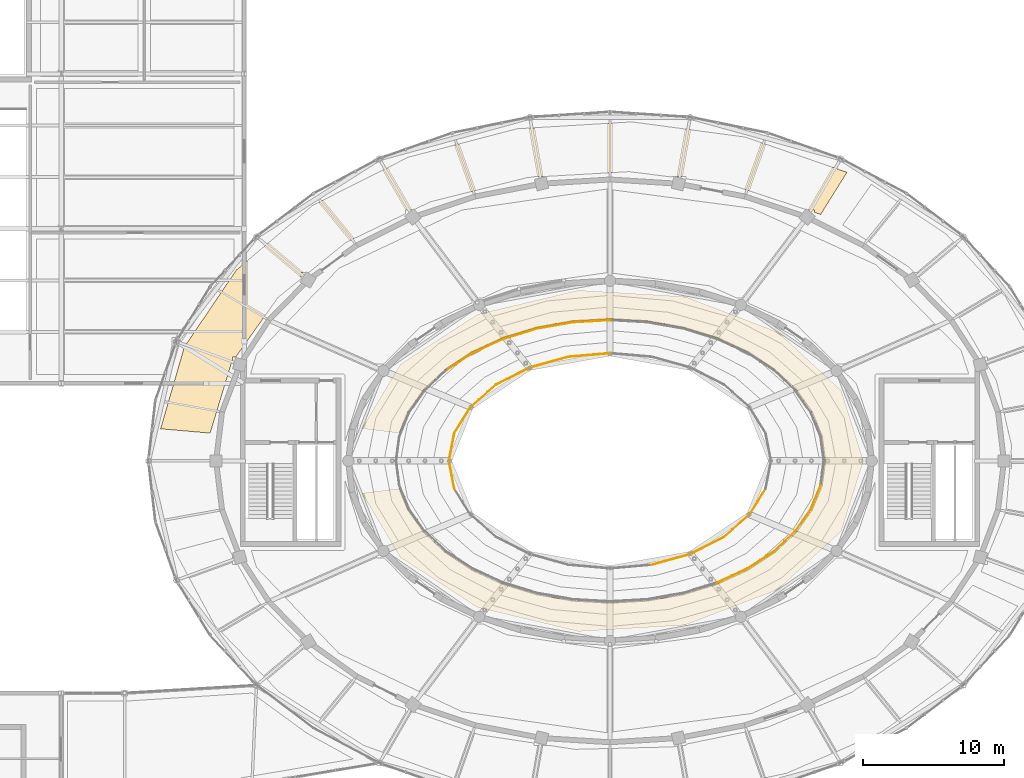
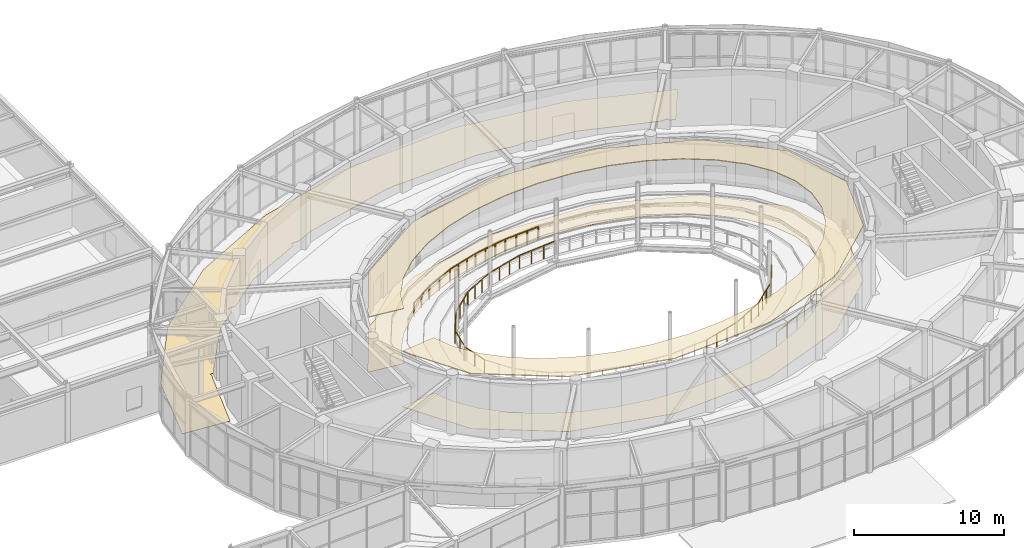
# One storey, part 92 of 100: 21 railings, 3 coverings.
"""IFC4 building model written with IfcOpenShell, lengths in metres."""

from ifc_helpers import new_model, si_unit, direction, frame, origin, origin_2d, place, context, subcontext, project, spatial, polyline, circle, outline, extrude, material, layer, layer_set, type_object, element, save


model = new_model("IFC4")

# Units and contexts
model_context = context("Model", 3, precision=1e-05, world=origin(), true_north=direction((0.0, 1.0)))
body_context = subcontext(model_context, "Body", "Model", "MODEL_VIEW")
ifc_project = project(units=[si_unit("LENGTHUNIT", "METRE"), si_unit("AREAUNIT", "SQUARE_METRE"), si_unit("VOLUMEUNIT", "CUBIC_METRE"), si_unit("PLANEANGLEUNIT", "RADIAN"), si_unit("MASSUNIT", "GRAM", prefix="KILO")], contexts=[model_context])

# Site, building, storey
site_placement = place(None, origin())
site = spatial("IfcSite", under=ifc_project, at=site_placement, CompositionType="ELEMENT")
building_placement = place(site_placement, origin())
building = spatial("IfcBuilding", under=site, at=building_placement, Name="Tarnveldt Headland Concert Hall", CompositionType="ELEMENT")
storey_placement = place(building_placement, frame((0.0, 0.0, 4.800048828125)))
storey = spatial("IfcBuildingStorey", under=building, at=storey_placement, Name="L01", CompositionType="ELEMENT", Elevation=4.800048828125)

# Coverings
ifc_material_1 = material(Name="Micro-perforated mvule acoustic ceiling panel", Category="timber")
ifc_layer_1 = layer(ifc_material_1, 0.06494140625, Name="Micro-perforated mvule acoustic ceiling panel", Category="timber")
ifc_layer_set_1 = layer_set([ifc_layer_1], Name="Micro-perforated mvule acoustic ceiling panel")
covering_type_1 = type_object("IfcCoveringType", Name="CV-CEIL65", PredefinedType="CEILING", material=ifc_layer_set_1)
covering_1_placement = place(storey_placement, frame((0.0, 0.0, 4.474853515625)))
element("IfcCovering", 1, at=covering_1_placement, inside=storey, type_object=covering_type_1, Name="Acoustic mvule ceiling L01-08-113", PredefinedType="CEILING", context=body_context, shape_type="SweptSolid", body=[
    extrude(outline(polyline([(65.9775390625, 56.784912109375), (66.1884765625, 57.32666015625), (68.595703125, 61.35693359375), (74.081787109375, 64.912841796875), (81.252685546875, 66.62255859375), (88.57666015625, 66.185791015625), (88.983642578125, 66.11083984375), (95.152587890625, 63.753662109375), (95.828125, 63.288818359375), (99.93212890625, 59.500244140625), (101.51123046875, 54.5), (99.93212890625, 49.499755859375), (95.828125, 45.711181640625), (95.152587890625, 45.246337890625), (88.983642578125, 42.88916015625), (88.57666015625, 42.814208984375), (81.252685546875, 42.37744140625), (74.081787109375, 44.087158203125), (68.595703125, 47.64306640625), (66.1884765625, 51.67333984375), (65.9775390625, 52.215087890625), (68.497802734375, 52.526611328125), (69.105712890625, 51.034423828125), (69.111572265625, 51.022216796875), (69.118896484375, 51.010498046875), (70.238525390625, 49.4306640625), (70.245849609375, 49.421142578125), (70.254150390625, 49.41259765625), (71.77392578125, 47.984619140625), (71.78173828125, 47.977783203125), (71.7900390625, 47.9716796875), (73.66357421875, 46.7392578125), (73.67138671875, 46.734619140625), (73.679443359375, 46.730712890625), (75.849853515625, 45.730712890625), (75.86474609375, 45.72509765625), (78.26611328125, 44.98828125), (78.280517578125, 44.98486328125), (80.839599609375, 44.53369140625), (80.853515625, 44.531982421875), (83.4931640625, 44.380126953125), (83.5068359375, 44.380126953125), (86.146484375, 44.531982421875), (86.160400390625, 44.53369140625), (88.719482421875, 44.98486328125), (88.73388671875, 44.98828125), (91.13525390625, 45.72509765625), (91.150146484375, 45.730712890625), (93.320556640625, 46.730712890625), (93.32861328125, 46.734619140625), (93.33642578125, 46.7392578125), (95.2099609375, 47.9716796875), (95.21826171875, 47.977783203125), (95.22607421875, 47.984619140625), (96.745849609375, 49.41259765625), (96.754150390625, 49.421142578125), (96.761474609375, 49.4306640625), (97.881103515625, 51.010498046875), (97.888427734375, 51.022216796875), (97.894287109375, 51.034423828125), (98.580078125, 52.71826171875), (98.583740234375, 52.727783203125), (98.586181640625, 52.73779296875), (98.588134765625, 52.747802734375), (98.819091796875, 54.484130859375), (98.81982421875, 54.49462890625), (98.81982421875, 54.50537109375), (98.819091796875, 54.515869140625), (98.588134765625, 56.252197265625), (98.586181640625, 56.26220703125), (98.583740234375, 56.272216796875), (98.580078125, 56.28173828125), (97.894287109375, 57.965576171875), (97.888427734375, 57.977783203125), (97.881103515625, 57.989501953125), (96.761474609375, 59.5693359375), (96.754150390625, 59.578857421875), (96.745849609375, 59.58740234375), (95.22607421875, 61.015380859375), (95.21826171875, 61.022216796875), (95.2099609375, 61.0283203125), (93.33642578125, 62.2607421875), (93.32861328125, 62.265380859375), (93.320556640625, 62.269287109375), (91.150146484375, 63.269287109375), (91.13525390625, 63.27490234375), (88.73388671875, 64.01171875), (88.719482421875, 64.01513671875), (86.160400390625, 64.46630859375), (86.146484375, 64.468017578125), (83.5068359375, 64.619873046875), (83.4931640625, 64.619873046875), (80.853515625, 64.468017578125), (80.839599609375, 64.46630859375), (78.280517578125, 64.01513671875), (78.26611328125, 64.01171875), (75.86474609375, 63.27490234375), (75.849853515625, 63.269287109375), (73.679443359375, 62.269287109375), (73.67138671875, 62.265380859375), (73.66357421875, 62.2607421875), (71.7900390625, 61.0283203125), (71.78173828125, 61.022216796875), (71.77392578125, 61.015380859375), (70.254150390625, 59.58740234375), (70.245849609375, 59.578857421875), (70.238525390625, 59.5693359375), (69.118896484375, 57.989501953125), (69.111572265625, 57.977783203125), (69.105712890625, 57.965576171875), (68.497802734375, 56.473388671875), (65.9775390625, 56.784912109375)])), origin(), (0.0, 0.0, 1.0), 0.065185546875),
])
ifc_material_2 = material(Name="Treated East African mvule hardwood", Category="wood")
ifc_layer_2 = layer(ifc_material_2, 0.028076171875, Name="Treated East African mvule hardwood", Category="wood")
ifc_layer_set_2 = layer_set([ifc_layer_2], Name="Treated East African mvule hardwood")
covering_type_2 = type_object("IfcCoveringType", Name="CV-FLOR28", PredefinedType="FLOORING", material=ifc_layer_set_2)
covering_2_placement = place(storey_placement, origin())
element("IfcCovering", 2, at=covering_2_placement, inside=storey, type_object=covering_type_2, Name="Architectural flooring L01-08-35", PredefinedType="FLOORING", context=body_context, shape_type="SweptSolid", body=[
    extrude(outline(polyline([(65.87255859375, 56.7978515625), (68.595703125, 61.35693359375), (74.081787109375, 64.912841796875), (81.252685546875, 66.62255859375), (88.826171875, 66.171142578125), (95.446044921875, 63.6416015625), (99.93212890625, 59.500244140625), (101.51123046875, 54.5), (99.93212890625, 49.499755859375), (95.446044921875, 45.3583984375), (88.826171875, 42.828857421875), (81.252685546875, 42.37744140625), (74.081787109375, 44.087158203125), (68.595703125, 47.64306640625), (65.87255859375, 52.2021484375), (68.538818359375, 52.53173828125), (69.142578125, 51.049560546875), (69.146484375, 51.041259765625), (69.1513671875, 51.033447265625), (70.27099609375, 49.45361328125), (70.276123046875, 49.447509765625), (70.281494140625, 49.441650390625), (71.80126953125, 48.013916015625), (71.806396484375, 48.00927734375), (71.81201171875, 48.00537109375), (73.685546875, 46.772705078125), (73.69091796875, 46.769775390625), (73.696044921875, 46.766845703125), (75.866455078125, 45.76708984375), (75.87646484375, 45.76318359375), (78.27783203125, 45.026611328125), (78.287353515625, 45.0244140625), (80.8466796875, 44.572998046875), (80.85595703125, 44.572021484375), (83.495361328125, 44.420166015625), (83.504638671875, 44.420166015625), (86.14404296875, 44.572021484375), (86.1533203125, 44.572998046875), (88.712646484375, 45.0244140625), (88.72216796875, 45.026611328125), (91.12353515625, 45.76318359375), (91.133544921875, 45.76708984375), (93.303955078125, 46.766845703125), (93.30908203125, 46.769775390625), (93.314453125, 46.772705078125), (95.18798828125, 48.00537109375), (95.193603515625, 48.00927734375), (95.19873046875, 48.013916015625), (96.718505859375, 49.441650390625), (96.723876953125, 49.447509765625), (96.72900390625, 49.45361328125), (97.8486328125, 51.033447265625), (97.853515625, 51.041259765625), (97.857421875, 51.049560546875), (98.543212890625, 52.7333984375), (98.54541015625, 52.73974609375), (98.547119140625, 52.746337890625), (98.54833984375, 52.7529296875), (98.779296875, 54.489501953125), (98.77978515625, 54.49658203125), (98.77978515625, 54.50341796875), (98.779296875, 54.510498046875), (98.54833984375, 56.2470703125), (98.547119140625, 56.253662109375), (98.54541015625, 56.26025390625), (98.543212890625, 56.2666015625), (97.857421875, 57.950439453125), (97.853515625, 57.958740234375), (97.8486328125, 57.966552734375), (96.72900390625, 59.54638671875), (96.723876953125, 59.552490234375), (96.718505859375, 59.558349609375), (95.19873046875, 60.986083984375), (95.193603515625, 60.99072265625), (95.18798828125, 60.99462890625), (93.314453125, 62.227294921875), (93.30908203125, 62.230224609375), (93.303955078125, 62.233154296875), (91.133544921875, 63.23291015625), (91.12353515625, 63.23681640625), (88.72216796875, 63.973388671875), (88.712646484375, 63.9755859375), (86.1533203125, 64.427001953125), (86.14404296875, 64.427978515625), (83.504638671875, 64.579833984375), (83.495361328125, 64.579833984375), (80.85595703125, 64.427978515625), (80.8466796875, 64.427001953125), (78.287353515625, 63.9755859375), (78.27783203125, 63.973388671875), (75.87646484375, 63.23681640625), (75.866455078125, 63.23291015625), (73.696044921875, 62.233154296875), (73.69091796875, 62.230224609375), (73.685546875, 62.227294921875), (71.81201171875, 60.99462890625), (71.806396484375, 60.99072265625), (71.80126953125, 60.986083984375), (70.281494140625, 59.558349609375), (70.276123046875, 59.552490234375), (70.27099609375, 59.54638671875), (69.1513671875, 57.966552734375), (69.146484375, 57.958740234375), (69.142578125, 57.950439453125), (68.538818359375, 56.46826171875), (65.87255859375, 56.7978515625)])), origin(), (0.0, 0.0, 1.0), 0.02783203125),
])
ifc_material_3 = material(Name="Polished coral-aggregate cementitious terrazzo flooring", Category="concrete")
ifc_layer_3 = layer(ifc_material_3, 0.034912109375, Name="Polished coral-aggregate cementitious terrazzo flooring", Category="concrete")
ifc_layer_set_3 = layer_set([ifc_layer_3], Name="Polished coral-aggregate cementitious terrazzo flooring")
covering_type_3 = type_object("IfcCoveringType", Name="CV-FLOR35", PredefinedType="FLOORING", material=ifc_layer_set_3)
covering_3_placement = place(storey_placement, origin())
element("IfcCovering", 3, at=covering_3_placement, inside=storey, type_object=covering_type_3, Name="Architectural flooring L01-13-40", PredefinedType="FLOORING", context=body_context, shape_type="SweptSolid", body=[
    extrude(outline(polyline([(92.003662109375, 74.147705078125), (88.88720703125, 74.544921875), (88.88720703125, 74.72119140625), (87.837158203125, 74.72119140625), (87.837158203125, 74.6787109375), (84.885498046875, 75.05517578125), (84.868896484375, 75.056396484375), (84.852294921875, 75.05615234375), (79.008056640625, 74.72119140625), (78.11279296875, 74.72119140625), (78.11279296875, 74.669921875), (77.6455078125, 74.64306640625), (77.62890625, 74.641357421875), (77.6123046875, 74.637939453125), (70.784423828125, 72.931396484375), (70.766845703125, 72.926025390625), (70.75, 72.9189453125), (69.55810546875, 72.345458984375), (68.97509765625, 72.345458984375), (68.97509765625, 72.06494140625), (64.7431640625, 70.029052734375), (64.724853515625, 70.018798828125), (64.7080078125, 70.006591796875), (62.083740234375, 67.880859375), (61.52587890625, 67.880859375), (61.52587890625, 67.4287109375), (59.91162109375, 66.12109375), (59.8994140625, 66.110107421875), (59.88818359375, 66.09814453125), (59.8779296875, 66.085205078125), (56.892578125, 61.865478515625), (56.66357421875, 61.865478515625), (56.66357421875, 61.54150390625), (56.602783203125, 61.45556640625), (56.592529296875, 61.439208984375), (56.583984375, 61.422119140625), (56.577392578125, 61.40380859375), (55.078369140625, 56.469970703125), (51.556884765625, 56.778076171875), (53.2412109375, 62.584228515625), (56.9365234375, 68.054931640625), (62.356201171875, 72.653564453125), (69.15185546875, 76.07763671875), (76.8818359375, 78.101318359375), (85.043212890625, 78.59130859375), (93.10400390625, 77.51513671875), (100.343994140625, 75.01123046875), (98.471923828125, 72.015380859375), (98.02490234375, 72.1630859375), (98.02490234375, 72.345458984375), (97.472412109375, 72.345458984375), (92.037353515625, 74.14013671875), (92.020751953125, 74.144775390625), (92.003662109375, 74.147705078125)])), origin(), (0.0, 0.0, 1.0), 0.034912109375),
])

# Railings
ifc_material_4 = material(Name="Marine stainless steel", Category="steel")
ifc_layer_4 = layer(ifc_material_4, 0.06005859375, Name="Marine stainless steel", Category="steel")
ifc_layer_set_4 = layer_set([ifc_layer_4], Name="Marine stainless steel")
railing_type = type_object("IfcRailingType", Name="RL-GRD110", PredefinedType="GUARDRAIL", material=ifc_layer_set_4)
railing_1_placement = place(storey_placement, frame((83.5, 62.14990234375, 0.280029296875)))
element("IfcRailing", 4, at=railing_1_placement, inside=storey, type_object=railing_type, Name="GUARD Symphony tier sightline guardrail L01 7", PredefinedType="GUARDRAIL", context=body_context, shape_type="SweptSolid", body=[
    extrude(circle(Radius=0.02392578125, at=origin_2d()), frame((0.0, 0.0, 1.076171875), z_axis=(-0.996158538672, -0.087568063994, 0.0), x_axis=(0.087568063994, -0.996158538672, 0.0)), (0.0, 0.0, 1.0), 2.974853515625),
    extrude(circle(Radius=0.02099609375, at=origin_2d()), origin(), (0.0, 0.0, 1.0), 1.052001953125),
    extrude(circle(Radius=0.02099609375, at=origin_2d()), frame((-0.98779296875, -0.0869140625, 0.0)), (0.0, 0.0, 1.0), 1.052001953125),
    extrude(circle(Radius=0.02099609375, at=origin_2d()), frame((-1.9755859375, -0.173583984375, 0.0)), (0.0, 0.0, 1.0), 1.052001953125),
    extrude(circle(Radius=0.02099609375, at=origin_2d()), frame((-2.96337890625, -0.260498046875, 0.0)), (0.0, 0.0, 1.0), 1.052001953125),
])
railing_2_placement = place(storey_placement, frame((80.53662109375, 61.889404296875, 0.280029296875)))
element("IfcRailing", 5, at=railing_2_placement, inside=storey, type_object=railing_type, Name="GUARD Symphony tier sightline guardrail L01 8", PredefinedType="GUARDRAIL", context=body_context, shape_type="SweptSolid", body=[
    extrude(circle(Radius=0.02392578125, at=origin_2d()), frame((0.0, 0.0, 1.076171875), z_axis=(-0.963764063419, -0.266756124696, 0.0), x_axis=(0.266756124696, -0.963764063419, 0.0)), (0.0, 0.0, 1.0), 2.865478515625),
    extrude(circle(Radius=0.02099609375, at=origin_2d()), origin(), (0.0, 0.0, 1.0), 1.052001953125),
    extrude(circle(Radius=0.02099609375, at=origin_2d()), frame((-0.920654296875, -0.2548828125, 0.0)), (0.0, 0.0, 1.0), 1.052001953125),
    extrude(circle(Radius=0.02099609375, at=origin_2d()), frame((-1.841064453125, -0.509521484375, 0.0)), (0.0, 0.0, 1.0), 1.052001953125),
    extrude(circle(Radius=0.02099609375, at=origin_2d()), frame((-2.76171875, -0.764404296875, 0.0)), (0.0, 0.0, 1.0), 1.052001953125),
])
railing_3_placement = place(storey_placement, frame((77.77490234375, 61.125, 0.280029296875)))
element("IfcRailing", 6, at=railing_3_placement, inside=storey, type_object=railing_type, Name="GUARD Symphony tier sightline guardrail L01 9", PredefinedType="GUARDRAIL", context=body_context, shape_type="SweptSolid", body=[
    extrude(circle(Radius=0.02392578125, at=origin_2d()), frame((0.0, 0.0, 1.076171875), z_axis=(-0.889892806019, -0.456169698463, 0.0), x_axis=(0.456169698463, -0.889892806019, 0.0)), (0.0, 0.0, 1.0), 2.664794921875),
    extrude(circle(Radius=0.02099609375, at=origin_2d()), origin(), (0.0, 0.0, 1.0), 1.052001953125),
    extrude(circle(Radius=0.02099609375, at=origin_2d()), frame((-0.79052734375, -0.4052734375, 0.0)), (0.0, 0.0, 1.0), 1.052001953125),
    extrude(circle(Radius=0.02099609375, at=origin_2d()), frame((-1.580810546875, -0.810302734375, 0.0)), (0.0, 0.0, 1.0), 1.052001953125),
    extrude(circle(Radius=0.02099609375, at=origin_2d()), frame((-2.371337890625, -1.215576171875, 0.0)), (0.0, 0.0, 1.0), 1.052001953125),
])
railing_4_placement = place(storey_placement, frame((75.403564453125, 59.909423828125, 0.280029296875)))
element("IfcRailing", 7, at=railing_4_placement, inside=storey, type_object=railing_type, Name="GUARD Symphony tier sightline guardrail L01 10", PredefinedType="GUARDRAIL", context=body_context, shape_type="SweptSolid", body=[
    extrude(circle(Radius=0.02392578125, at=origin_2d()), frame((0.0, 0.0, 1.076171875), z_axis=(-0.754147872627, -0.656704641534, 0.0), x_axis=(0.656704641534, -0.754147872627, 0.0)), (0.0, 0.0, 1.0), 2.412841796875),
    extrude(circle(Radius=0.02099609375, at=origin_2d()), origin(), (0.0, 0.0, 1.0), 1.052001953125),
    extrude(circle(Radius=0.02099609375, at=origin_2d()), frame((-0.6064453125, -0.528076171875, 0.0)), (0.0, 0.0, 1.0), 1.052001953125),
    extrude(circle(Radius=0.02099609375, at=origin_2d()), frame((-1.213134765625, -1.056396484375, 0.0)), (0.0, 0.0, 1.0), 1.052001953125),
    extrude(circle(Radius=0.02099609375, at=origin_2d()), frame((-1.819580078125, -1.58447265625, 0.0)), (0.0, 0.0, 1.0), 1.052001953125),
])
railing_5_placement = place(storey_placement, frame((73.583984375, 58.324951171875, 0.280029296875)))
element("IfcRailing", 8, at=railing_5_placement, inside=storey, type_object=railing_type, Name="GUARD Symphony tier sightline guardrail L01 11", PredefinedType="GUARDRAIL", context=body_context, shape_type="SweptSolid", body=[
    extrude(circle(Radius=0.02392578125, at=origin_2d()), frame((0.0, 0.0, 1.076171875), z_axis=(-0.526912047172, -0.849919816538, 0.0), x_axis=(0.849919816538, -0.526912047172, 0.0)), (0.0, 0.0, 1.0), 2.170654296875),
    extrude(circle(Radius=0.02099609375, at=origin_2d()), origin(), (0.0, 0.0, 1.0), 1.052001953125),
    extrude(circle(Radius=0.02099609375, at=origin_2d()), frame((-0.57177734375, -0.92236328125, 0.0)), (0.0, 0.0, 1.0), 1.052001953125),
    extrude(circle(Radius=0.02099609375, at=origin_2d()), frame((-1.143798828125, -1.844970703125, 0.0)), (0.0, 0.0, 1.0), 1.052001953125),
])
railing_6_placement = place(storey_placement, frame((72.440185546875, 56.47998046875, 0.280029296875)))
element("IfcRailing", 9, at=railing_6_placement, inside=storey, type_object=railing_type, Name="GUARD Symphony tier sightline guardrail L01 12", PredefinedType="GUARDRAIL", context=body_context, shape_type="SweptSolid", body=[
    extrude(circle(Radius=0.02392578125, at=origin_2d()), frame((0.0, 0.0, 1.076171875), z_axis=(-0.193323530369, -0.981135063386, 0.0), x_axis=(0.981135063386, -0.193323530369, 0.0)), (0.0, 0.0, 1.0), 2.01806640625),
    extrude(circle(Radius=0.02099609375, at=origin_2d()), origin(), (0.0, 0.0, 1.0), 1.052001953125),
    extrude(circle(Radius=0.02099609375, at=origin_2d()), frame((-0.195068359375, -0.989990234375, 0.0)), (0.0, 0.0, 1.0), 1.052001953125),
    extrude(circle(Radius=0.02099609375, at=origin_2d()), frame((-0.39013671875, -1.97998046875, 0.0)), (0.0, 0.0, 1.0), 1.052001953125),
])
railing_7_placement = place(storey_placement, frame((72.050048828125, 54.5, 0.280029296875)))
element("IfcRailing", 10, at=railing_7_placement, inside=storey, type_object=railing_type, Name="GUARD Symphony tier sightline guardrail L01 13", PredefinedType="GUARDRAIL", context=body_context, shape_type="SweptSolid", body=[
    extrude(circle(Radius=0.02392578125, at=origin_2d()), frame((0.0, 0.0, 1.076171875), z_axis=(0.193323530369, -0.981135063386, 0.0), x_axis=(0.981135063386, 0.193323530369, 0.0)), (0.0, 0.0, 1.0), 2.01806640625),
    extrude(circle(Radius=0.02099609375, at=origin_2d()), origin(), (0.0, 0.0, 1.0), 1.052001953125),
    extrude(circle(Radius=0.02099609375, at=origin_2d()), frame((0.195068359375, -0.989990234375, 0.0)), (0.0, 0.0, 1.0), 1.052001953125),
    extrude(circle(Radius=0.02099609375, at=origin_2d()), frame((0.39013671875, -1.97998046875, 0.0)), (0.0, 0.0, 1.0), 1.052001953125),
])
railing_8_placement = place(storey_placement, frame((86.46337890625, 47.110595703125, 0.280029296875)))
element("IfcRailing", 11, at=railing_8_placement, inside=storey, type_object=railing_type, Name="GUARD Symphony tier sightline guardrail L01 20", PredefinedType="GUARDRAIL", context=body_context, shape_type="SweptSolid", body=[
    extrude(circle(Radius=0.02392578125, at=origin_2d()), frame((0.0, 0.0, 1.076171875), z_axis=(0.963764063419, 0.266756124696, 0.0), x_axis=(-0.266756124696, 0.963764063419, 0.0)), (0.0, 0.0, 1.0), 2.865478515625),
    extrude(circle(Radius=0.02099609375, at=origin_2d()), origin(), (0.0, 0.0, 1.0), 1.052001953125),
    extrude(circle(Radius=0.02099609375, at=origin_2d()), frame((0.920654296875, 0.2548828125, 0.0)), (0.0, 0.0, 1.0), 1.052001953125),
    extrude(circle(Radius=0.02099609375, at=origin_2d()), frame((1.841064453125, 0.509521484375, 0.0)), (0.0, 0.0, 1.0), 1.052001953125),
    extrude(circle(Radius=0.02099609375, at=origin_2d()), frame((2.76171875, 0.764404296875, 0.0)), (0.0, 0.0, 1.0), 1.052001953125),
])
railing_9_placement = place(storey_placement, frame((89.22509765625, 47.875, 0.280029296875)))
element("IfcRailing", 12, at=railing_9_placement, inside=storey, type_object=railing_type, Name="GUARD Symphony tier sightline guardrail L01 21", PredefinedType="GUARDRAIL", context=body_context, shape_type="SweptSolid", body=[
    extrude(circle(Radius=0.02392578125, at=origin_2d()), frame((0.0, 0.0, 1.076171875), z_axis=(0.889892806019, 0.456169698463, 0.0), x_axis=(-0.456169698463, 0.889892806019, 0.0)), (0.0, 0.0, 1.0), 2.664794921875),
    extrude(circle(Radius=0.02099609375, at=origin_2d()), origin(), (0.0, 0.0, 1.0), 1.052001953125),
    extrude(circle(Radius=0.02099609375, at=origin_2d()), frame((0.79052734375, 0.4052734375, 0.0)), (0.0, 0.0, 1.0), 1.052001953125),
    extrude(circle(Radius=0.02099609375, at=origin_2d()), frame((1.580810546875, 0.810302734375, 0.0)), (0.0, 0.0, 1.0), 1.052001953125),
    extrude(circle(Radius=0.02099609375, at=origin_2d()), frame((2.371337890625, 1.215576171875, 0.0)), (0.0, 0.0, 1.0), 1.052001953125),
])
railing_10_placement = place(storey_placement, frame((91.596435546875, 49.090576171875, 0.280029296875)))
element("IfcRailing", 13, at=railing_10_placement, inside=storey, type_object=railing_type, Name="GUARD Symphony tier sightline guardrail L01 22", PredefinedType="GUARDRAIL", context=body_context, shape_type="SweptSolid", body=[
    extrude(circle(Radius=0.02392578125, at=origin_2d()), frame((0.0, 0.0, 1.076171875), z_axis=(0.754147872627, 0.656704641534, 0.0), x_axis=(-0.656704641534, 0.754147872627, 0.0)), (0.0, 0.0, 1.0), 2.412841796875),
    extrude(circle(Radius=0.02099609375, at=origin_2d()), origin(), (0.0, 0.0, 1.0), 1.052001953125),
    extrude(circle(Radius=0.02099609375, at=origin_2d()), frame((0.6064453125, 0.528076171875, 0.0)), (0.0, 0.0, 1.0), 1.052001953125),
    extrude(circle(Radius=0.02099609375, at=origin_2d()), frame((1.213134765625, 1.056396484375, 0.0)), (0.0, 0.0, 1.0), 1.052001953125),
    extrude(circle(Radius=0.02099609375, at=origin_2d()), frame((1.819580078125, 1.58447265625, 0.0)), (0.0, 0.0, 1.0), 1.052001953125),
])
railing_11_placement = place(storey_placement, frame((93.416015625, 50.675048828125, 0.280029296875)))
element("IfcRailing", 14, at=railing_11_placement, inside=storey, type_object=railing_type, Name="GUARD Symphony tier sightline guardrail L01 23", PredefinedType="GUARDRAIL", context=body_context, shape_type="SweptSolid", body=[
    extrude(circle(Radius=0.02392578125, at=origin_2d()), frame((0.0, 0.0, 1.076171875), z_axis=(0.526912047172, 0.849919816538, 0.0), x_axis=(-0.849919816538, 0.526912047172, 0.0)), (0.0, 0.0, 1.0), 2.170654296875),
    extrude(circle(Radius=0.02099609375, at=origin_2d()), origin(), (0.0, 0.0, 1.0), 1.052001953125),
    extrude(circle(Radius=0.02099609375, at=origin_2d()), frame((0.57177734375, 0.92236328125, 0.0)), (0.0, 0.0, 1.0), 1.052001953125),
    extrude(circle(Radius=0.02099609375, at=origin_2d()), frame((1.143798828125, 1.844970703125, 0.0)), (0.0, 0.0, 1.0), 1.052001953125),
])
railing_12_placement = place(storey_placement, frame((83.5, 64.5, 0.0)))
element("IfcRailing", 15, at=railing_12_placement, inside=storey, type_object=railing_type, Name="GUARD Auditorium void guardrail L01 10", PredefinedType="GUARDRAIL", context=body_context, shape_type="SweptSolid", body=[
    extrude(circle(Radius=0.02392578125, at=origin_2d()), frame((0.0, 0.0, 1.076171875), z_axis=(-0.99834901745, -0.057439005536, 0.0), x_axis=(0.057439005536, -0.99834901745, 0.0)), (0.0, 0.0, 1.0), 2.643798828125),
    extrude(circle(Radius=0.02099609375, at=origin_2d()), origin(), (0.0, 0.0, 1.0), 1.052001953125),
    extrude(circle(Radius=0.02099609375, at=origin_2d()), frame((-0.8798828125, -0.050537109375, 0.0)), (0.0, 0.0, 1.0), 1.052001953125),
    extrude(circle(Radius=0.02099609375, at=origin_2d()), frame((-1.759521484375, -0.101318359375, 0.0)), (0.0, 0.0, 1.0), 1.052001953125),
    extrude(circle(Radius=0.02099609375, at=origin_2d()), frame((-2.639404296875, -0.15185546875, 0.0)), (0.0, 0.0, 1.0), 1.052001953125),
])
railing_13_placement = place(storey_placement, frame((80.860595703125, 64.34814453125, 0.0)))
element("IfcRailing", 16, at=railing_13_placement, inside=storey, type_object=railing_type, Name="GUARD Auditorium void guardrail L01 11", PredefinedType="GUARDRAIL", context=body_context, shape_type="SweptSolid", body=[
    extrude(circle(Radius=0.02392578125, at=origin_2d()), frame((0.0, 0.0, 1.076171875), z_axis=(-0.984814752515, -0.173608476834, 0.0), x_axis=(0.173608476834, -0.984814752515, 0.0)), (0.0, 0.0, 1.0), 2.598876953125),
    extrude(circle(Radius=0.02099609375, at=origin_2d()), origin(), (0.0, 0.0, 1.0), 1.052001953125),
    extrude(circle(Radius=0.02099609375, at=origin_2d()), frame((-0.85302734375, -0.150390625, 0.0)), (0.0, 0.0, 1.0), 1.052001953125),
    extrude(circle(Radius=0.02099609375, at=origin_2d()), frame((-1.706298828125, -0.30078125, 0.0)), (0.0, 0.0, 1.0), 1.052001953125),
    extrude(circle(Radius=0.02099609375, at=origin_2d()), frame((-2.559326171875, -0.451171875, 0.0)), (0.0, 0.0, 1.0), 1.052001953125),
])
railing_14_placement = place(storey_placement, frame((78.30126953125, 63.89697265625, 0.0)))
element("IfcRailing", 17, at=railing_14_placement, inside=storey, type_object=railing_type, Name="GUARD Auditorium void guardrail L01 12", PredefinedType="GUARDRAIL", context=body_context, shape_type="SweptSolid", body=[
    extrude(circle(Radius=0.02392578125, at=origin_2d()), frame((0.0, 0.0, 1.076171875), z_axis=(-0.956037133001, -0.293245631381, 0.0), x_axis=(0.293245631381, -0.956037133001, 0.0)), (0.0, 0.0, 1.0), 2.51171875),
    extrude(circle(Radius=0.02099609375, at=origin_2d()), origin(), (0.0, 0.0, 1.0), 1.052001953125),
    extrude(circle(Radius=0.02099609375, at=origin_2d()), frame((-0.800537109375, -0.24560546875, 0.0)), (0.0, 0.0, 1.0), 1.052001953125),
    extrude(circle(Radius=0.02099609375, at=origin_2d()), frame((-1.600830078125, -0.490966796875, 0.0)), (0.0, 0.0, 1.0), 1.052001953125),
    extrude(circle(Radius=0.02099609375, at=origin_2d()), frame((-2.4013671875, -0.736572265625, 0.0)), (0.0, 0.0, 1.0), 1.052001953125),
])
railing_15_placement = place(storey_placement, frame((75.89990234375, 63.160400390625, 0.0)))
element("IfcRailing", 18, at=railing_15_placement, inside=storey, type_object=railing_type, Name="GUARD Auditorium void guardrail L01 13", PredefinedType="GUARDRAIL", context=body_context, shape_type="SweptSolid", body=[
    extrude(circle(Radius=0.02392578125, at=origin_2d()), frame((0.0, 0.0, 1.076171875), z_axis=(-0.908234283008, -0.418462049854, 0.0), x_axis=(0.418462049854, -0.908234283008, 0.0)), (0.0, 0.0, 1.0), 2.3896484375),
    extrude(circle(Radius=0.02099609375, at=origin_2d()), origin(), (0.0, 0.0, 1.0), 1.052001953125),
    extrude(circle(Radius=0.02099609375, at=origin_2d()), frame((-1.085205078125, -0.5, 0.0)), (0.0, 0.0, 1.0), 1.052001953125),
    extrude(circle(Radius=0.02099609375, at=origin_2d()), frame((-2.17041015625, -1.0, 0.0)), (0.0, 0.0, 1.0), 1.052001953125),
])
railing_16_placement = place(storey_placement, frame((73.7294921875, 62.160400390625, 0.0)))
element("IfcRailing", 19, at=railing_16_placement, inside=storey, type_object=railing_type, Name="GUARD Auditorium void guardrail L01 14", PredefinedType="GUARDRAIL", context=body_context, shape_type="SweptSolid", body=[
    extrude(circle(Radius=0.02392578125, at=origin_2d()), frame((0.0, 0.0, 1.076171875), z_axis=(-0.835418397825, -0.549614501788, 0.0), x_axis=(0.549614501788, -0.835418397825, 0.0)), (0.0, 0.0, 1.0), 2.242431640625),
    extrude(circle(Radius=0.02099609375, at=origin_2d()), origin(), (0.0, 0.0, 1.0), 1.052001953125),
    extrude(circle(Radius=0.02099609375, at=origin_2d()), frame((-0.9365234375, -0.6162109375, 0.0)), (0.0, 0.0, 1.0), 1.052001953125),
    extrude(circle(Radius=0.02099609375, at=origin_2d()), frame((-1.873291015625, -1.232421875, 0.0)), (0.0, 0.0, 1.0), 1.052001953125),
])
railing_17_placement = place(storey_placement, frame((91.10009765625, 45.839599609375, 0.0)))
element("IfcRailing", 20, at=railing_17_placement, inside=storey, type_object=railing_type, Name="GUARD Auditorium void guardrail L01 31", PredefinedType="GUARDRAIL", context=body_context, shape_type="SweptSolid", body=[
    extrude(circle(Radius=0.02392578125, at=origin_2d()), frame((0.0, 0.0, 1.076171875), z_axis=(0.908234283008, 0.418462049854, 0.0), x_axis=(-0.418462049854, 0.908234283008, 0.0)), (0.0, 0.0, 1.0), 2.3896484375),
    extrude(circle(Radius=0.02099609375, at=origin_2d()), origin(), (0.0, 0.0, 1.0), 1.052001953125),
    extrude(circle(Radius=0.02099609375, at=origin_2d()), frame((1.085205078125, 0.5, 0.0)), (0.0, 0.0, 1.0), 1.052001953125),
    extrude(circle(Radius=0.02099609375, at=origin_2d()), frame((2.17041015625, 1.0, 0.0)), (0.0, 0.0, 1.0), 1.052001953125),
])
railing_18_placement = place(storey_placement, frame((93.2705078125, 46.839599609375, 0.0)))
element("IfcRailing", 21, at=railing_18_placement, inside=storey, type_object=railing_type, Name="GUARD Auditorium void guardrail L01 32", PredefinedType="GUARDRAIL", context=body_context, shape_type="SweptSolid", body=[
    extrude(circle(Radius=0.02392578125, at=origin_2d()), frame((0.0, 0.0, 1.076171875), z_axis=(0.835418397825, 0.549614501788, 0.0), x_axis=(-0.549614501788, 0.835418397825, 0.0)), (0.0, 0.0, 1.0), 2.242431640625),
    extrude(circle(Radius=0.02099609375, at=origin_2d()), origin(), (0.0, 0.0, 1.0), 1.052001953125),
    extrude(circle(Radius=0.02099609375, at=origin_2d()), frame((0.9365234375, 0.6162109375, 0.0)), (0.0, 0.0, 1.0), 1.052001953125),
    extrude(circle(Radius=0.02099609375, at=origin_2d()), frame((1.873291015625, 1.232421875, 0.0)), (0.0, 0.0, 1.0), 1.052001953125),
])
railing_19_placement = place(storey_placement, frame((95.143798828125, 48.072021484375, 0.0)))
element("IfcRailing", 22, at=railing_19_placement, inside=storey, type_object=railing_type, Name="GUARD Auditorium void guardrail L01 33", PredefinedType="GUARDRAIL", context=body_context, shape_type="SweptSolid", body=[
    extrude(circle(Radius=0.02392578125, at=origin_2d()), frame((0.0, 0.0, 1.076171875), z_axis=(0.728773712747, 0.684754609776, 0.0), x_axis=(-0.684754609776, 0.728773712747, 0.0)), (0.0, 0.0, 1.0), 2.08544921875),
    extrude(circle(Radius=0.02099609375, at=origin_2d()), origin(), (0.0, 0.0, 1.0), 1.052001953125),
    extrude(circle(Radius=0.02099609375, at=origin_2d()), frame((0.759765625, 0.7138671875, 0.0)), (0.0, 0.0, 1.0), 1.052001953125),
    extrude(circle(Radius=0.02099609375, at=origin_2d()), frame((1.519775390625, 1.427978515625, 0.0)), (0.0, 0.0, 1.0), 1.052001953125),
])
railing_20_placement = place(storey_placement, frame((96.66357421875, 49.5, 0.0)))
element("IfcRailing", 23, at=railing_20_placement, inside=storey, type_object=railing_type, Name="GUARD Auditorium void guardrail L01 34", PredefinedType="GUARDRAIL", context=body_context, shape_type="SweptSolid", body=[
    extrude(circle(Radius=0.02392578125, at=origin_2d()), frame((0.0, 0.0, 1.076171875), z_axis=(0.578216724182, 0.815883214606, 0.0), x_axis=(-0.815883214606, 0.578216724182, 0.0)), (0.0, 0.0, 1.0), 1.936279296875),
    extrude(circle(Radius=0.02099609375, at=origin_2d()), origin(), (0.0, 0.0, 1.0), 1.052001953125),
    extrude(circle(Radius=0.02099609375, at=origin_2d()), frame((0.559814453125, 0.7900390625, 0.0)), (0.0, 0.0, 1.0), 1.052001953125),
    extrude(circle(Radius=0.02099609375, at=origin_2d()), frame((1.11962890625, 1.579833984375, 0.0)), (0.0, 0.0, 1.0), 1.052001953125),
])
railing_21_placement = place(storey_placement, frame((97.783203125, 51.079833984375, 0.0)))
element("IfcRailing", 24, at=railing_21_placement, inside=storey, type_object=railing_type, Name="GUARD Auditorium void guardrail L01 35", PredefinedType="GUARDRAIL", context=body_context, shape_type="SweptSolid", body=[
    extrude(circle(Radius=0.02392578125, at=origin_2d()), frame((0.0, 0.0, 1.076171875), z_axis=(0.377241429706, 0.926114951674, 0.0), x_axis=(-0.926114951674, 0.377241429706, 0.0)), (0.0, 0.0, 1.0), 1.81787109375),
    extrude(circle(Radius=0.02099609375, at=origin_2d()), origin(), (0.0, 0.0, 1.0), 1.052001953125),
    extrude(circle(Radius=0.02099609375, at=origin_2d()), frame((0.3427734375, 0.841796875, 0.0)), (0.0, 0.0, 1.0), 1.052001953125),
    extrude(circle(Radius=0.02099609375, at=origin_2d()), frame((0.685791015625, 1.68359375, 0.0)), (0.0, 0.0, 1.0), 1.052001953125),
])

save(model, "model.ifc")
